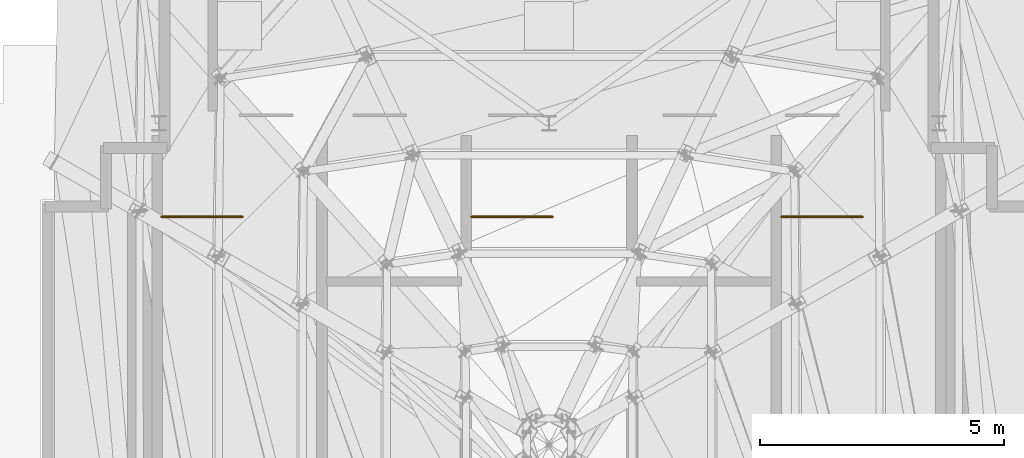
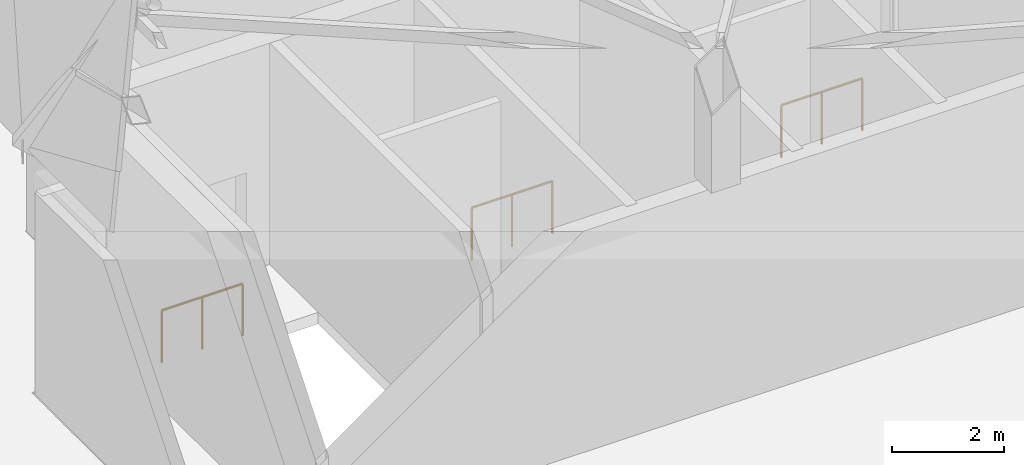
# One storey, part 30 of 30: 3 railings.
"""IFC4 building model written with IfcOpenShell, lengths in metres."""

from ifc_helpers import new_model, si_unit, direction, frame, origin, origin_2d, place, context, subcontext, project, spatial, circle, extrude, material, type_object, element, save


model = new_model("IFC4")

# Units and contexts
model_context = context("Model", 3, precision=1e-05, world=origin(), true_north=direction((0.0, 1.0)))
body_context = subcontext(model_context, "Body", "Model", "MODEL_VIEW")
ifc_project = project(units=[si_unit("LENGTHUNIT", "METRE"), si_unit("AREAUNIT", "SQUARE_METRE"), si_unit("VOLUMEUNIT", "CUBIC_METRE"), si_unit("PLANEANGLEUNIT", "RADIAN"), si_unit("MASSUNIT", "GRAM", prefix="KILO")], contexts=[model_context])

# Site, building, storey
site_placement = place(None, origin())
site = spatial("IfcSite", under=ifc_project, at=site_placement, CompositionType="ELEMENT")
building_placement = place(site_placement, origin())
building = spatial("IfcBuilding", under=site, at=building_placement, Name="Haolan Belvedere Tower", CompositionType="ELEMENT")
storey_placement = place(building_placement, frame((0.0, 0.0, 333.0)))
storey = spatial("IfcBuildingStorey", under=building, at=storey_placement, Name="L83", CompositionType="ELEMENT", Elevation=333.0)

# Railings
ifc_material = material(Name="Brushed stainless steel 304", Category="steel")
railing_type = type_object("IfcRailingType", Name="RL-STAIR-GRD-1150", PredefinedType="GUARDRAIL", material=ifc_material)
railing_1_placement = place(storey_placement, frame((30.449951171875, 41.280029296875, 0.0)))
element("IfcRailing", 1, at=railing_1_placement, inside=storey, type_object=railing_type, Name="L83 ST1 top well guard 1", PredefinedType="GUARDRAIL", context=body_context, shape_type="SweptSolid", body=[
    extrude(circle(Radius=0.02392578125, at=origin_2d()), frame((0.0, 0.0, 1.1259765625), z_axis=(1.0, 0.0, 0.0), x_axis=(0.0, 1.0, 0.0)), (0.0, 0.0, 1.0), 1.66015625),
    extrude(circle(Radius=0.02099609375, at=origin_2d()), origin(), (0.0, 0.0, 1.0), 1.101806640625),
    extrude(circle(Radius=0.02099609375, at=origin_2d()), frame((0.830078125, 0.0, 0.0)), (0.0, 0.0, 1.0), 1.101806640625),
    extrude(circle(Radius=0.02099609375, at=origin_2d()), frame((1.66015625, 0.0, 0.0)), (0.0, 0.0, 1.0), 1.101806640625),
])
railing_2_placement = place(storey_placement, frame((36.81005859375, 41.280029296875, 0.0)))
element("IfcRailing", 2, at=railing_2_placement, inside=storey, type_object=railing_type, Name="L83 ST3 top well guard 1", PredefinedType="GUARDRAIL", context=body_context, shape_type="SweptSolid", body=[
    extrude(circle(Radius=0.02392578125, at=origin_2d()), frame((0.0, 0.0, 1.1259765625), z_axis=(1.0, 0.0, 0.0), x_axis=(0.0, 1.0, 0.0)), (0.0, 0.0, 1.0), 1.659912109375),
    extrude(circle(Radius=0.02099609375, at=origin_2d()), origin(), (0.0, 0.0, 1.0), 1.101806640625),
    extrude(circle(Radius=0.02099609375, at=origin_2d()), frame((0.830078125, 0.0, 0.0)), (0.0, 0.0, 1.0), 1.101806640625),
    extrude(circle(Radius=0.02099609375, at=origin_2d()), frame((1.659912109375, 0.0, 0.0)), (0.0, 0.0, 1.0), 1.101806640625),
])
railing_3_placement = place(storey_placement, frame((43.169921875, 41.280029296875, 0.0)))
element("IfcRailing", 3, at=railing_3_placement, inside=storey, type_object=railing_type, Name="L83 ST2 top well guard 1", PredefinedType="GUARDRAIL", context=body_context, shape_type="SweptSolid", body=[
    extrude(circle(Radius=0.02392578125, at=origin_2d()), frame((0.0, 0.0, 1.1259765625), z_axis=(1.0, 0.0, 0.0), x_axis=(0.0, 1.0, 0.0)), (0.0, 0.0, 1.0), 1.66015625),
    extrude(circle(Radius=0.02099609375, at=origin_2d()), origin(), (0.0, 0.0, 1.0), 1.101806640625),
    extrude(circle(Radius=0.02099609375, at=origin_2d()), frame((0.830078125, 0.0, 0.0)), (0.0, 0.0, 1.0), 1.101806640625),
    extrude(circle(Radius=0.02099609375, at=origin_2d()), frame((1.66015625, 0.0, 0.0)), (0.0, 0.0, 1.0), 1.101806640625),
])

save(model, "model.ifc")
